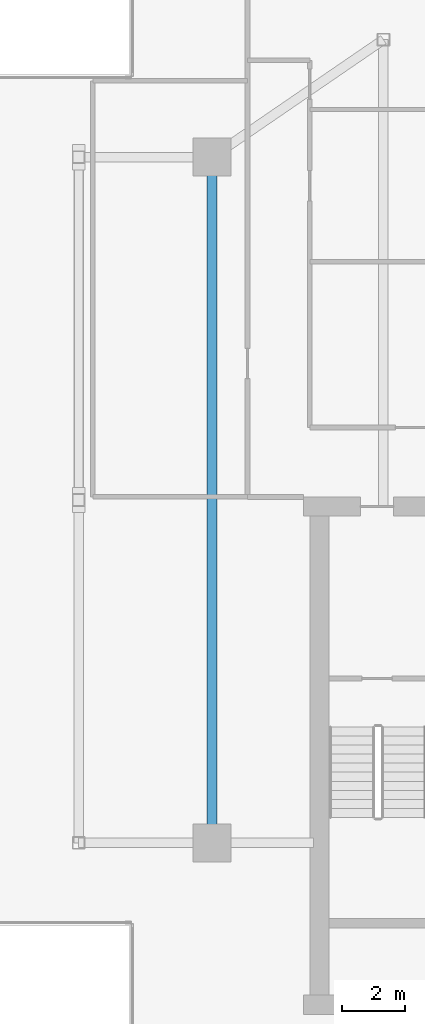
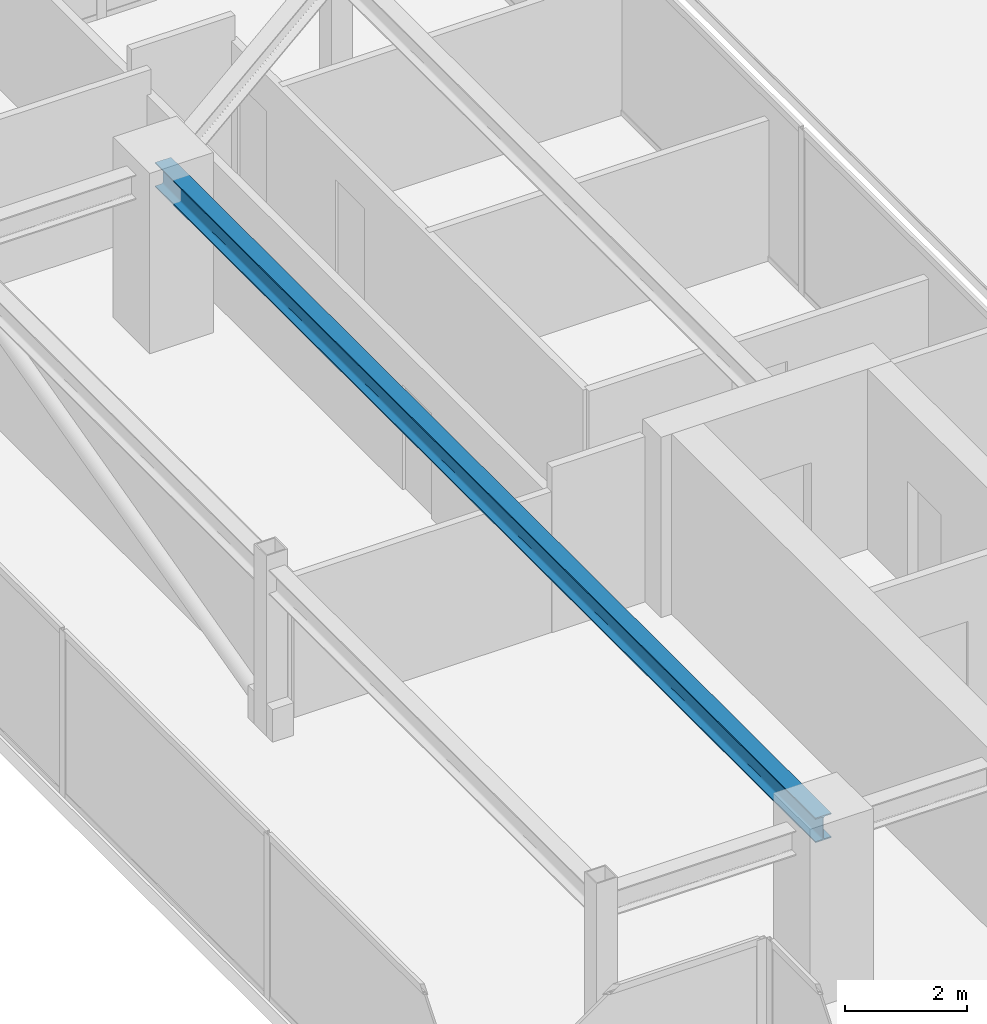
# One storey, part 8 of 16: 1 beam.
"""IFC4 building model written with IfcOpenShell, lengths in metres."""

from ifc_helpers import new_model, si_unit, direction, frame, origin, origin_2d, place, context, subcontext, project, spatial, i_section, extrude, source, transform, mapped, material, material_profile, profile_set, type_object, type_shapes, element, save


model = new_model("IFC4")

# Units and contexts
model_context = context("Model", 3, precision=1e-05, world=origin(), true_north=direction((0.0, 1.0)))
body_context = subcontext(model_context, "Body", "Model", "MODEL_VIEW")
ifc_project = project(units=[si_unit("LENGTHUNIT", "METRE"), si_unit("AREAUNIT", "SQUARE_METRE"), si_unit("VOLUMEUNIT", "CUBIC_METRE"), si_unit("PLANEANGLEUNIT", "RADIAN"), si_unit("MASSUNIT", "GRAM", prefix="KILO")], contexts=[model_context])

# Site, building, storey
site_placement = place(None, origin())
site = spatial("IfcSite", under=ifc_project, at=site_placement, CompositionType="ELEMENT")
building_placement = place(site_placement, origin())
building = spatial("IfcBuilding", under=site, at=building_placement, Name="Krantzveldt Concourse Tower", CompositionType="ELEMENT")
storey_placement = place(building_placement, frame((0.0, 0.0, 378.25)))
storey = spatial("IfcBuildingStorey", under=building, at=storey_placement, Name="L93", CompositionType="ELEMENT", Elevation=378.25)

# Beam
ifc_material = material(Name="Steel S355JR", Category="steel")
ifc_material_profile = material_profile(ifc_material, i_section(OverallWidth=0.300048828125, OverallDepth=0.489990234375, WebThickness=0.011962890625, FlangeThickness=0.02294921875, FilletRadius=0.027099609375, at=origin_2d()), Name="Steel S355JR", Category="steel")
ifc_profile_set = profile_set([ifc_material_profile], Name="Steel S355JR - HEA 500")
beam_type = type_object("IfcBeamType", Name="BM-B-HEA500", PredefinedType="BEAM", material=ifc_profile_set)
shared_shape = source(origin(), body_context, "Body", "SweptSolid", [
    extrude(i_section(OverallWidth=0.300048828125, OverallDepth=0.489990234375, WebThickness=0.011962890625, FlangeThickness=0.02294921875, FilletRadius=0.027099609375, at=origin_2d()), origin(), (0.0, 0.0, 1.0), 21.60009765625),
])
type_shapes(beam_type, [shared_shape])
beam_placement = place(storey_placement, frame((25.199951171875, 15.89990234375, 3.054931640625), z_axis=(0.0, 1.0, 0.0), x_axis=(-1.0, 0.0, 0.0)))
element("IfcBeam", 1, at=beam_placement, inside=storey, type_object=beam_type, Name="L93 Crown Girder WEST-8", PredefinedType="BEAM", context=body_context, shape_type="MappedRepresentation", body=[
    mapped(shared_shape, transform((0.0, 0.0, 0.0), x_axis=(1.0, 0.0, 0.0), y_axis=(0.0, 1.0, 0.0), z_axis=(0.0, 0.0, 1.0), scale=1.0)),
])

save(model, "model.ifc")
